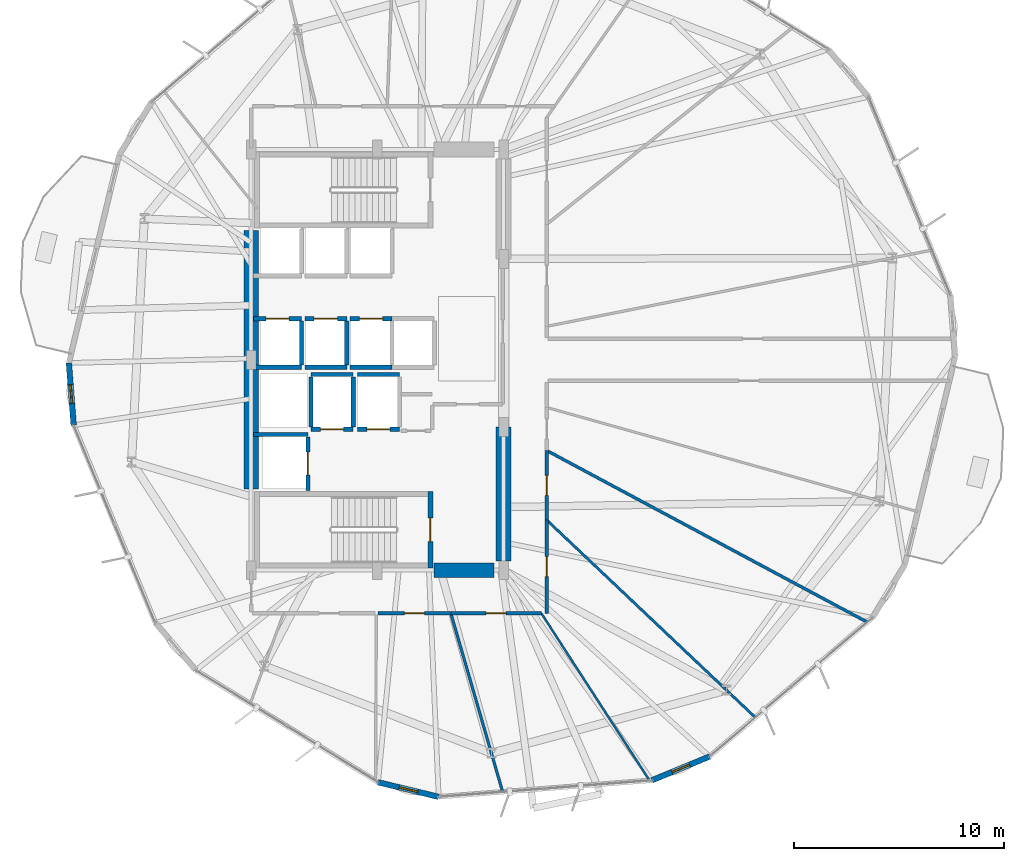
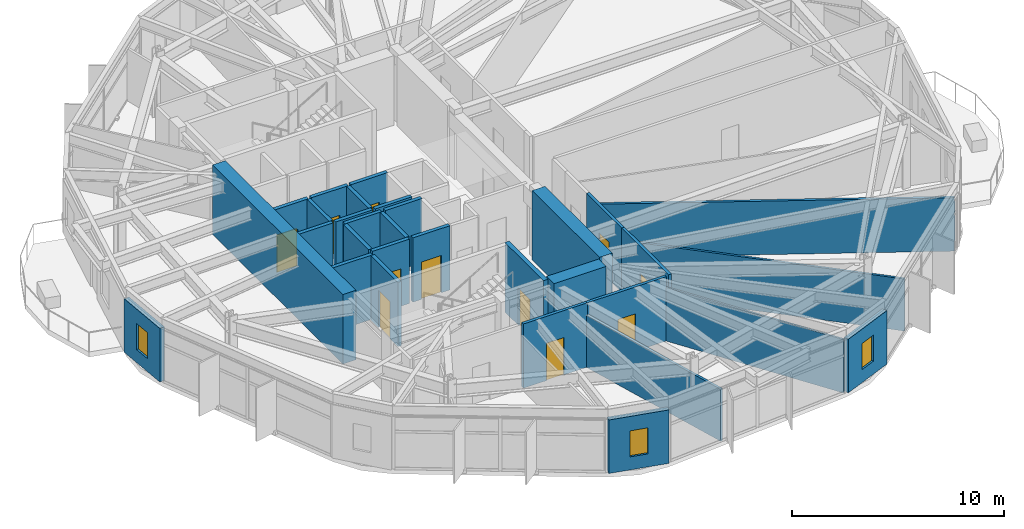
# One storey, part 16 of 22: 31 walls, 11 doors, 3 windows, 14 openings.
"""IFC4 building model written with IfcOpenShell, lengths in metres."""

from ifc_helpers import new_model, si_unit, direction, frame, frame_2d, origin, place, context, subcontext, project, spatial, rectangle, extrude, material, layer, layer_set, type_object, element, fill, save


model = new_model("IFC4")

# Units and contexts
model_context = context("Model", 3, precision=1e-05, world=origin(), true_north=direction((0.0, 1.0)))
body_context = subcontext(model_context, "Body", "Model", "MODEL_VIEW")
ifc_project = project(units=[si_unit("LENGTHUNIT", "METRE"), si_unit("AREAUNIT", "SQUARE_METRE"), si_unit("VOLUMEUNIT", "CUBIC_METRE"), si_unit("PLANEANGLEUNIT", "RADIAN"), si_unit("MASSUNIT", "GRAM", prefix="KILO")], contexts=[model_context])

# Site, building, storey
site_placement = place(None, origin())
site = spatial("IfcSite", under=ifc_project, at=site_placement, CompositionType="ELEMENT")
building_placement = place(site_placement, origin())
building = spatial("IfcBuilding", under=site, at=building_placement, Name="Soratama Intermodal Tower", CompositionType="ELEMENT")
storey_placement = place(building_placement, frame((0.0, 0.0, 50.60009765625)))
storey = spatial("IfcBuildingStorey", under=building, at=storey_placement, Name="L11", CompositionType="ELEMENT", Elevation=50.60009765625)

# Wall, opening, window
ifc_material_1 = material(Name="Concrete f'c 42 MPa", Category="concrete")
ifc_layer_1 = layer(ifc_material_1, 0.27001953125)
ifc_layer_set_1 = layer_set([ifc_layer_1], Name="Concrete f'c 42 MPa")
wall_type_1 = type_object("IfcWallType", Name="EW-CRN-270", PredefinedType="SOLIDWALL", material=ifc_layer_set_1)
wall_1_placement = place(storey_placement, frame((23.935546875, 24.85205078125, 0.0), z_axis=(0.0, 0.0, 1.0), x_axis=(0.077363609715, -0.997002944776, 0.0)))
wall_1 = element("IfcWall", 1, at=wall_1_placement, inside=storey, type_object=wall_type_1, Name="L11 Corner Closure Wall 05", PredefinedType="SOLIDWALL", context=body_context, shape_type="SweptSolid", body=[
    extrude(rectangle(XDim=2.96630859375, YDim=0.27001953125, at=frame_2d((1.483154296875, 0.0))), origin(), (0.0, 0.0, 1.0), 3.078857421875),
])
opening_1_placement = place(wall_1_placement, frame((1.033203125, 0.0, 0.75)))
opening_1 = element("IfcOpeningElement", 2, at=opening_1_placement, cuts=wall_1, Name="Opening WN-6", PredefinedType="OPENING", context=body_context, shape_type="SweptSolid", body=[
    extrude(rectangle(XDim=0.89990234375, YDim=1.5, at=frame_2d((0.449951171875, 0.75))), frame((0.0, 0.14501953125, 0.0), z_axis=(0.0, -1.0, 0.0), x_axis=(1.0, 0.0, 0.0)), (0.0, 0.0, 1.0), 0.2900390625),
])
ifc_material_2 = material(Name="Double-glazed aluminium window", Category="aluminium")
window_type = type_object("IfcWindowType", Name="WN-FAC-900", PartitioningType="SINGLE_PANEL", PredefinedType="WINDOW", material=ifc_material_2)
window_1_placement = place(opening_1_placement, origin())
window_1 = element("IfcWindow", 3, at=window_1_placement, inside=storey, type_object=window_type, Name="L11 Corner Window 05", OverallHeight=1.5, OverallWidth=0.89990234375, PartitioningType="SINGLE_PANEL", PredefinedType="WINDOW", context=body_context, shape_type="SweptSolid", body=[
    extrude(rectangle(XDim=0.89990234375, YDim=1.5, at=frame_2d((0.449951171875, 0.75))), frame((0.0, 0.030029296875, 0.0), z_axis=(0.0, -1.0, 0.0), x_axis=(1.0, 0.0, 0.0)), (0.0, 0.0, 1.0), 0.06005859375),
])
fill(opening_1, window_1)

wall_2_placement = place(storey_placement, frame((38.63134765625, 4.9208984375, 0.0), z_axis=(0.0, 0.0, 1.0), x_axis=(0.972104212083, -0.234549356962, 0.0)))
wall_2 = element("IfcWall", 4, at=wall_2_placement, inside=storey, type_object=wall_type_1, Name="L11 Corner Closure Wall 07", PredefinedType="SOLIDWALL", context=body_context, shape_type="SweptSolid", body=[
    extrude(rectangle(XDim=2.966552734375, YDim=0.27001953125, at=frame_2d((1.4833984375, 0.0))), origin(), (0.0, 0.0, 1.0), 3.078857421875),
])
opening_2_placement = place(wall_2_placement, frame((1.033203125, 0.0, 0.75)))
opening_2 = element("IfcOpeningElement", 5, at=opening_2_placement, cuts=wall_2, Name="Opening WN-6", PredefinedType="OPENING", context=body_context, shape_type="SweptSolid", body=[
    extrude(rectangle(XDim=0.89990234375, YDim=1.5, at=frame_2d((0.449951171875, 0.75))), frame((0.0, 0.14501953125, 0.0), z_axis=(0.0, -1.0, 0.0), x_axis=(1.0, 0.0, 0.0)), (0.0, 0.0, 1.0), 0.2900390625),
])
window_2_placement = place(opening_2_placement, origin())
window_2 = element("IfcWindow", 6, at=window_2_placement, inside=storey, type_object=window_type, Name="L11 Corner Window 07", OverallHeight=1.5, OverallWidth=0.89990234375, PartitioningType="SINGLE_PANEL", PredefinedType="WINDOW", context=body_context, shape_type="SweptSolid", body=[
    extrude(rectangle(XDim=0.89990234375, YDim=1.5, at=frame_2d((0.449951171875, 0.75))), frame((0.0, 0.030029296875, 0.0), z_axis=(0.0, -1.0, 0.0), x_axis=(1.0, 0.0, 0.0)), (0.0, 0.0, 1.0), 0.06005859375),
])
fill(opening_2, window_2)

wall_3_placement = place(storey_placement, frame((51.64990234375, 5.01220703125, 0.0), z_axis=(0.0, 0.0, 1.0), x_axis=(0.924287306496, 0.381697491544, 0.0)))
wall_3 = element("IfcWall", 7, at=wall_3_placement, inside=storey, type_object=wall_type_1, Name="L11 Corner Closure Wall 08", PredefinedType="SOLIDWALL", context=body_context, shape_type="SweptSolid", body=[
    extrude(rectangle(XDim=2.966552734375, YDim=0.27001953125, at=frame_2d((1.4833984375, 0.0))), origin(), (0.0, 0.0, 1.0), 3.078857421875),
])
opening_3_placement = place(wall_3_placement, frame((1.033203125, 0.0, 0.75)))
opening_3 = element("IfcOpeningElement", 8, at=opening_3_placement, cuts=wall_3, Name="Opening WN-6", PredefinedType="OPENING", context=body_context, shape_type="SweptSolid", body=[
    extrude(rectangle(XDim=0.89990234375, YDim=1.5, at=frame_2d((0.449951171875, 0.75))), frame((0.0, 0.14501953125, 0.0), z_axis=(0.0, -1.0, 0.0), x_axis=(1.0, 0.0, 0.0)), (0.0, 0.0, 1.0), 0.2900390625),
])
window_3_placement = place(opening_3_placement, origin())
window_3 = element("IfcWindow", 9, at=window_3_placement, inside=storey, type_object=window_type, Name="L11 Corner Window 08", OverallHeight=1.5, OverallWidth=0.89990234375, PartitioningType="SINGLE_PANEL", PredefinedType="WINDOW", context=body_context, shape_type="SweptSolid", body=[
    extrude(rectangle(XDim=0.89990234375, YDim=1.5, at=frame_2d((0.449951171875, 0.75))), frame((0.0, 0.030029296875, 0.0), z_axis=(0.0, -1.0, 0.0), x_axis=(1.0, 0.0, 0.0)), (0.0, 0.0, 1.0), 0.06005859375),
])
fill(opening_3, window_3)

# Wall, opening, door
ifc_material_3 = material(Name="Fire-rated gypsum stud partition", Category="concrete")
ifc_layer_2 = layer(ifc_material_3, 0.159912109375)
ifc_layer_set_2 = layer_set([ifc_layer_2], Name="Fire-rated gypsum stud partition")
wall_type_2 = type_object("IfcWallType", Name="IW-PART-R160", PredefinedType="PARTITIONING", material=ifc_layer_set_2)
wall_4_placement = place(storey_placement, frame((46.64990234375, 17.385009765625, 0.0), z_axis=(0.0, 0.0, 1.0), x_axis=(0.0, -1.0, 0.0)))
wall_4 = element("IfcWall", 10, at=wall_4_placement, inside=storey, type_object=wall_type_2, Name="L11 Partition W-L11-TP020", PredefinedType="PARTITIONING", context=body_context, shape_type="SweptSolid", body=[
    extrude(rectangle(XDim=4.43505859375, YDim=0.159912109375, at=frame_2d((2.217529296875, 0.0))), origin(), (0.0, 0.0, 1.0), 3.699951171875),
])
opening_4_placement = place(wall_4_placement, frame((1.742919921875, 0.0, 0.0)))
opening_4 = element("IfcOpeningElement", 11, at=opening_4_placement, cuts=wall_4, Name="Opening ID-3", PredefinedType="OPENING", context=body_context, shape_type="SweptSolid", body=[
    extrude(rectangle(XDim=0.949951171875, YDim=2.14990234375, at=frame_2d((0.47509765625, 1.074951171875))), frame((0.0, 0.08984375, 0.0), z_axis=(0.0, -1.0, 0.0), x_axis=(1.0, 0.0, 0.0)), (0.0, 0.0, 1.0), 0.179931640625),
])
ifc_material_4 = material(Name="Solid hardwood acoustic door", Category="wood")
door_type_1 = type_object("IfcDoorType", Name="DR-ROOM-950", OperationType="NOTDEFINED", PredefinedType="DOOR", material=ifc_material_4)
door_1_placement = place(opening_4_placement, origin())
door_1 = element("IfcDoor", 12, at=door_1_placement, inside=storey, type_object=door_type_1, Name="L11 Door D-L11-TP006", OperationType="SINGLE_SWING_LEFT", OverallHeight=2.14990234375, OverallWidth=0.949951171875, PredefinedType="DOOR", context=body_context, shape_type="SweptSolid", body=[
    extrude(rectangle(XDim=0.949951171875, YDim=2.14990234375, at=frame_2d((0.47509765625, 1.074951171875))), frame((0.0, 0.02490234375, 0.0), z_axis=(0.0, -1.0, 0.0), x_axis=(1.0, 0.0, 0.0)), (0.0, 0.0, 1.0), 0.050048828125),
])
fill(opening_4, door_1)

wall_5_placement = place(storey_placement, frame((46.39501953125, 12.949951171875, 0.0), z_axis=(0.0, 0.0, 1.0), x_axis=(-1.0, 0.0, 0.0)))
wall_5 = element("IfcWall", 13, at=wall_5_placement, inside=storey, type_object=wall_type_2, Name="L11 Partition W-L11-TP022", PredefinedType="PARTITIONING", context=body_context, shape_type="SweptSolid", body=[
    extrude(rectangle(XDim=4.301025390625, YDim=0.159912109375, at=frame_2d((2.150390625, 0.0))), origin(), (0.0, 0.0, 1.0), 3.699951171875),
])
opening_5_placement = place(wall_5_placement, frame((1.676025390625, 0.0, 0.0)))
opening_5 = element("IfcOpeningElement", 14, at=opening_5_placement, cuts=wall_5, Name="Opening ID-3", PredefinedType="OPENING", context=body_context, shape_type="SweptSolid", body=[
    extrude(rectangle(XDim=0.949951171875, YDim=2.14990234375, at=frame_2d((0.47509765625, 1.074951171875))), frame((0.0, 0.08984375, 0.0), z_axis=(0.0, -1.0, 0.0), x_axis=(1.0, 0.0, 0.0)), (0.0, 0.0, 1.0), 0.179931640625),
])
door_2_placement = place(opening_5_placement, origin())
door_2 = element("IfcDoor", 15, at=door_2_placement, inside=storey, type_object=door_type_1, Name="L11 Door D-L11-TP008", OperationType="SINGLE_SWING_LEFT", OverallHeight=2.14990234375, OverallWidth=0.949951171875, PredefinedType="DOOR", context=body_context, shape_type="SweptSolid", body=[
    extrude(rectangle(XDim=0.949951171875, YDim=2.14990234375, at=frame_2d((0.47509765625, 1.074951171875))), frame((0.0, 0.02490234375, 0.0), z_axis=(0.0, -1.0, 0.0), x_axis=(1.0, 0.0, 0.0)), (0.0, 0.0, 1.0), 0.050048828125),
])
fill(opening_5, door_2)

wall_6_placement = place(storey_placement, frame((42.093994140625, 12.949951171875, 0.0), z_axis=(0.0, 0.0, 1.0), x_axis=(-1.0, 0.0, 0.0)))
wall_6 = element("IfcWall", 16, at=wall_6_placement, inside=storey, type_object=wall_type_2, Name="L11 Partition W-L11-TP025", PredefinedType="PARTITIONING", context=body_context, shape_type="SweptSolid", body=[
    extrude(rectangle(XDim=3.47509765625, YDim=0.159912109375, at=frame_2d((1.737548828125, 0.0))), origin(), (0.0, 0.0, 1.0), 3.699951171875),
])
opening_6_placement = place(wall_6_placement, frame((1.262939453125, 0.0, 0.0)))
opening_6 = element("IfcOpeningElement", 17, at=opening_6_placement, cuts=wall_6, Name="Opening ID-3", PredefinedType="OPENING", context=body_context, shape_type="SweptSolid", body=[
    extrude(rectangle(XDim=0.949951171875, YDim=2.14990234375, at=frame_2d((0.47509765625, 1.074951171875))), frame((0.0, 0.08984375, 0.0), z_axis=(0.0, -1.0, 0.0), x_axis=(1.0, 0.0, 0.0)), (0.0, 0.0, 1.0), 0.179931640625),
])
door_3_placement = place(opening_6_placement, origin())
door_3 = element("IfcDoor", 18, at=door_3_placement, inside=storey, type_object=door_type_1, Name="L11 Door D-L11-TP011", OperationType="SINGLE_SWING_RIGHT", OverallHeight=2.14990234375, OverallWidth=0.949951171875, PredefinedType="DOOR", context=body_context, shape_type="SweptSolid", body=[
    extrude(rectangle(XDim=0.949951171875, YDim=2.14990234375, at=frame_2d((0.47509765625, 1.074951171875))), frame((0.0, 0.02490234375, 0.0), z_axis=(0.0, -1.0, 0.0), x_axis=(1.0, 0.0, 0.0)), (0.0, 0.0, 1.0), 0.050048828125),
])
fill(opening_6, door_3)

wall_7_placement = place(storey_placement, frame((46.64990234375, 20.68896484375, 0.0), z_axis=(0.0, 0.0, 1.0), x_axis=(0.0, -1.0, 0.0)))
wall_7 = element("IfcWall", 19, at=wall_7_placement, inside=storey, type_object=wall_type_2, Name="L11 Partition W-L11-TP028", PredefinedType="PARTITIONING", context=body_context, shape_type="SweptSolid", body=[
    extrude(rectangle(XDim=3.303955078125, YDim=0.159912109375, at=frame_2d((1.65185546875, 0.0))), origin(), (0.0, 0.0, 1.0), 3.699951171875),
])
opening_7_placement = place(wall_7_placement, frame((1.177001953125, 0.0, 0.0)))
opening_7 = element("IfcOpeningElement", 20, at=opening_7_placement, cuts=wall_7, Name="Opening ID-3", PredefinedType="OPENING", context=body_context, shape_type="SweptSolid", body=[
    extrude(rectangle(XDim=0.949951171875, YDim=2.14990234375, at=frame_2d((0.47509765625, 1.074951171875))), frame((0.0, 0.08984375, 0.0), z_axis=(0.0, -1.0, 0.0), x_axis=(1.0, 0.0, 0.0)), (0.0, 0.0, 1.0), 0.179931640625),
])
door_4_placement = place(opening_7_placement, origin())
door_4 = element("IfcDoor", 21, at=door_4_placement, inside=storey, type_object=door_type_1, Name="L11 Door D-L11-TP014", OperationType="SINGLE_SWING_LEFT", OverallHeight=2.14990234375, OverallWidth=0.949951171875, PredefinedType="DOOR", context=body_context, shape_type="SweptSolid", body=[
    extrude(rectangle(XDim=0.949951171875, YDim=2.14990234375, at=frame_2d((0.47509765625, 1.074951171875))), frame((0.0, 0.02490234375, 0.0), z_axis=(0.0, -1.0, 0.0), x_axis=(1.0, 0.0, 0.0)), (0.0, 0.0, 1.0), 0.050048828125),
])
fill(opening_7, door_4)

# Walls
ifc_material_5 = material(Name="Fire-rated gypsum stud partition", Category="concrete")
ifc_layer_3 = layer(ifc_material_5, 0.10009765625)
ifc_layer_set_3 = layer_set([ifc_layer_3], Name="Fire-rated gypsum stud partition")
wall_type_3 = type_object("IfcWallType", Name="IW-PART-S100", PredefinedType="PARTITIONING", material=ifc_layer_set_3)
wall_8_placement = place(storey_placement, frame((46.39501953125, 12.949951171875, 0.0), z_axis=(0.0, 0.0, 1.0), x_axis=(0.54324379199, -0.839575001095, 0.0)))
element("IfcWall", 22, at=wall_8_placement, inside=storey, type_object=wall_type_3, Name="L11 Partition W-L11-TP009", PredefinedType="PARTITIONING", context=body_context, shape_type="SweptSolid", body=[
    extrude(rectangle(XDim=9.465576171875, YDim=0.10009765625, at=frame_2d((4.73291015625, 0.0))), origin(), (0.0, 0.0, 1.0), 3.077880859375),
])
ifc_material_6 = material(Name="Fire-rated gypsum stud partition", Category="concrete")
ifc_layer_4 = layer(ifc_material_6, 0.1201171875)
ifc_layer_set_4 = layer_set([ifc_layer_4], Name="Fire-rated gypsum stud partition")
wall_type_4 = type_object("IfcWallType", Name="IW-PART-S120", PredefinedType="PARTITIONING", material=ifc_layer_set_4)
wall_9_placement = place(storey_placement, frame((46.64990234375, 17.385009765625, 0.0), z_axis=(0.0, 0.0, 1.0), x_axis=(0.726395560774, -0.68727686509, 0.0)))
element("IfcWall", 23, at=wall_9_placement, inside=storey, type_object=wall_type_4, Name="L11 Partition W-L11-TP007", PredefinedType="PARTITIONING", context=body_context, shape_type="SweptSolid", body=[
    extrude(rectangle(XDim=13.6552734375, YDim=0.1201171875, at=frame_2d((6.82763671875, 0.0))), origin(), (0.0, 0.0, 1.0), 2.994873046875),
])
ifc_material_7 = material(Name="Fire-rated gypsum stud partition", Category="concrete")
ifc_layer_5 = layer(ifc_material_7, 0.1298828125)
ifc_layer_set_5 = layer_set([ifc_layer_5], Name="Fire-rated gypsum stud partition")
wall_type_5 = type_object("IfcWallType", Name="IW-PART-S130", PredefinedType="PARTITIONING", material=ifc_layer_set_5)
wall_10_placement = place(storey_placement, frame((42.093994140625, 12.949951171875, 0.0), z_axis=(0.0, 0.0, 1.0), x_axis=(0.2785348965, -0.960426109303, 0.0)))
element("IfcWall", 24, at=wall_10_placement, inside=storey, type_object=wall_type_5, Name="L11 Partition W-L11-TP011", PredefinedType="PARTITIONING", context=body_context, shape_type="SweptSolid", body=[
    extrude(rectangle(XDim=8.8388671875, YDim=0.1298828125, at=frame_2d((4.41943359375, 0.0))), origin(), (0.0, 0.0, 1.0), 2.994873046875),
])
ifc_material_8 = material(Name="Fire-rated gypsum stud partition", Category="concrete")
ifc_layer_6 = layer(ifc_material_8, 0.139892578125)
ifc_layer_set_6 = layer_set([ifc_layer_6], Name="Fire-rated gypsum stud partition")
wall_type_6 = type_object("IfcWallType", Name="IW-PART-S140", PredefinedType="PARTITIONING", material=ifc_layer_set_6)
wall_11_placement = place(storey_placement, frame((46.64990234375, 20.68896484375, 0.0), z_axis=(0.0, 0.0, 1.0), x_axis=(0.881605315222, -0.471987360182, 0.0)))
element("IfcWall", 25, at=wall_11_placement, inside=storey, type_object=wall_type_6, Name="L11 Partition W-L11-TP005", PredefinedType="PARTITIONING", context=body_context, shape_type="SweptSolid", body=[
    extrude(rectangle(XDim=17.2822265625, YDim=0.139892578125, at=frame_2d((8.64111328125, 0.0))), origin(), (0.0, 0.0, 1.0), 3.077880859375),
])

# Wall, opening, door
ifc_material_9 = material(Name="Concrete f'c 42 MPa", Category="concrete")
ifc_layer_7 = layer(ifc_material_9, 0.199951171875)
ifc_layer_set_7 = layer_set([ifc_layer_7], Name="Concrete f'c 42 MPa")
wall_type_7 = type_object("IfcWallType", Name="IW-SHAFT-200", PredefinedType="SOLIDWALL", material=ifc_layer_set_7)
wall_12_placement = place(storey_placement, frame((35.449951171875, 21.699951171875, 0.0), z_axis=(0.0, 0.0, 1.0), x_axis=(1.0, 0.0, 0.0)))
wall_12 = element("IfcWall", 26, at=wall_12_placement, inside=storey, type_object=wall_type_7, Name="L11 FFL-1 Hoistway Wall S", PredefinedType="SOLIDWALL", context=body_context, shape_type="SweptSolid", body=[
    extrude(rectangle(XDim=2.0, YDim=0.199951171875, at=frame_2d((1.0, 0.0))), origin(), (0.0, 0.0, 1.0), 3.699951171875),
])
opening_8_placement = place(wall_12_placement, frame((0.449951171875, 0.0, 0.0)))
opening_8 = element("IfcOpeningElement", 27, at=opening_8_placement, cuts=wall_12, Name="Opening LD-1", PredefinedType="OPENING", context=body_context, shape_type="SweptSolid", body=[
    extrude(rectangle(XDim=1.10009765625, YDim=2.14990234375, at=frame_2d((0.550048828125, 1.074951171875))), frame((0.0, 0.10986328125, 0.0), z_axis=(0.0, -1.0, 0.0), x_axis=(1.0, 0.0, 0.0)), (0.0, 0.0, 1.0), 0.219970703125),
])
ifc_material_10 = material(Name="Steel fire door", Category="steel")
door_type_2 = type_object("IfcDoorType", Name="DR-LIFT-SLIDE", OperationType="NOTDEFINED", PredefinedType="DOOR", material=ifc_material_10)
door_5_placement = place(opening_8_placement, origin())
door_5 = element("IfcDoor", 28, at=door_5_placement, inside=storey, type_object=door_type_2, Name="L11 FFL-1 Sliding Landing Door", OperationType="SLIDING_TO_LEFT", OverallHeight=2.14990234375, OverallWidth=1.10009765625, PredefinedType="DOOR", context=body_context, shape_type="SweptSolid", body=[
    extrude(rectangle(XDim=1.10009765625, YDim=2.14990234375, at=frame_2d((0.550048828125, 1.074951171875))), frame((0.0, 0.02490234375, 0.0), z_axis=(0.0, -1.0, 0.0), x_axis=(1.0, 0.0, 0.0)), (0.0, 0.0, 1.0), 0.050048828125),
])
fill(opening_8, door_5)

# Walls
wall_13_placement = place(storey_placement, frame((35.449951171875, 24.300048828125, 0.0), z_axis=(0.0, 0.0, 1.0), x_axis=(1.0, 0.0, 0.0)))
element("IfcWall", 29, at=wall_13_placement, inside=storey, type_object=wall_type_7, Name="L11 FFL-1 Hoistway Wall N", PredefinedType="SOLIDWALL", context=body_context, shape_type="SweptSolid", body=[
    extrude(rectangle(XDim=2.0, YDim=0.199951171875, at=frame_2d((1.0, 0.0))), origin(), (0.0, 0.0, 1.0), 3.699951171875),
])
for number, where, z_axis, x_axis, name in (
    (30, (35.449951171875, 21.81005859375, 0.0), (0.0, 0.0, 1.0), (0.0, 1.0, 0.0), "L11 FFL-1 Hoistway Wall W"),
    (31, (37.449951171875, 21.81005859375, 0.0), (0.0, 0.0, 1.0), (0.0, 1.0, 0.0), "L11 FFL-1 Hoistway Wall E"),
):
    element("IfcWall", number, at=place(storey_placement, frame(where, z_axis=z_axis, x_axis=x_axis)), inside=storey, type_object=wall_type_7, Name=name, PredefinedType="SOLIDWALL", context=body_context, shape_type="SweptSolid", body=[
        extrude(rectangle(XDim=2.3798828125, YDim=0.199951171875, at=frame_2d((1.18994140625, 0.0))), origin(), (0.0, 0.0, 1.0), 3.699951171875),
    ])

# Wall, opening, door
wall_14_placement = place(storey_placement, frame((37.64990234375, 21.699951171875, 0.0), z_axis=(0.0, 0.0, 1.0), x_axis=(1.0, 0.0, 0.0)))
wall_14 = element("IfcWall", 32, at=wall_14_placement, inside=storey, type_object=wall_type_7, Name="L11 FFL-2 Hoistway Wall S", PredefinedType="SOLIDWALL", context=body_context, shape_type="SweptSolid", body=[
    extrude(rectangle(XDim=2.0, YDim=0.199951171875, at=frame_2d((1.0, 0.0))), origin(), (0.0, 0.0, 1.0), 3.699951171875),
])
opening_9_placement = place(wall_14_placement, frame((0.449951171875, 0.0, 0.0)))
opening_9 = element("IfcOpeningElement", 33, at=opening_9_placement, cuts=wall_14, Name="Opening LD-1", PredefinedType="OPENING", context=body_context, shape_type="SweptSolid", body=[
    extrude(rectangle(XDim=1.10009765625, YDim=2.14990234375, at=frame_2d((0.550048828125, 1.074951171875))), frame((0.0, 0.10986328125, 0.0), z_axis=(0.0, -1.0, 0.0), x_axis=(1.0, 0.0, 0.0)), (0.0, 0.0, 1.0), 0.219970703125),
])
door_6_placement = place(opening_9_placement, origin())
door_6 = element("IfcDoor", 34, at=door_6_placement, inside=storey, type_object=door_type_2, Name="L11 FFL-2 Sliding Landing Door", OperationType="SLIDING_TO_LEFT", OverallHeight=2.14990234375, OverallWidth=1.10009765625, PredefinedType="DOOR", context=body_context, shape_type="SweptSolid", body=[
    extrude(rectangle(XDim=1.10009765625, YDim=2.14990234375, at=frame_2d((0.550048828125, 1.074951171875))), frame((0.0, 0.02490234375, 0.0), z_axis=(0.0, -1.0, 0.0), x_axis=(1.0, 0.0, 0.0)), (0.0, 0.0, 1.0), 0.050048828125),
])
fill(opening_9, door_6)

# Walls
wall_15_placement = place(storey_placement, frame((37.64990234375, 24.300048828125, 0.0), z_axis=(0.0, 0.0, 1.0), x_axis=(1.0, 0.0, 0.0)))
element("IfcWall", 35, at=wall_15_placement, inside=storey, type_object=wall_type_7, Name="L11 FFL-2 Hoistway Wall N", PredefinedType="SOLIDWALL", context=body_context, shape_type="SweptSolid", body=[
    extrude(rectangle(XDim=2.0, YDim=0.199951171875, at=frame_2d((1.0, 0.0))), origin(), (0.0, 0.0, 1.0), 3.699951171875),
])
wall_16_placement = place(storey_placement, frame((32.719970703125, 21.449951171875, 0.0), z_axis=(0.0, 0.0, 1.0), x_axis=(1.0, 0.0, 0.0)))
element("IfcWall", 36, at=wall_16_placement, inside=storey, type_object=wall_type_7, Name="L11 SVL-1 Hoistway Wall N", PredefinedType="SOLIDWALL", context=body_context, shape_type="SweptSolid", body=[
    extrude(rectangle(XDim=2.580078125, YDim=0.199951171875, at=frame_2d((1.2900390625, 0.0))), origin(), (0.0, 0.0, 1.0), 3.699951171875),
])

# Wall, opening, door
wall_17_placement = place(storey_placement, frame((35.300048828125, 18.7900390625, 0.0), z_axis=(0.0, 0.0, 1.0), x_axis=(0.0, 1.0, 0.0)))
wall_17 = element("IfcWall", 37, at=wall_17_placement, inside=storey, type_object=wall_type_7, Name="L11 SVL-1 Hoistway Wall E", PredefinedType="SOLIDWALL", context=body_context, shape_type="SweptSolid", body=[
    extrude(rectangle(XDim=2.550048828125, YDim=0.199951171875, at=frame_2d((1.27490234375, 0.0))), origin(), (0.0, 0.0, 1.0), 3.699951171875),
])
opening_10_placement = place(wall_17_placement, frame((0.72509765625, 0.0, 0.0)))
opening_10 = element("IfcOpeningElement", 38, at=opening_10_placement, cuts=wall_17, Name="Opening LD-1", PredefinedType="OPENING", context=body_context, shape_type="SweptSolid", body=[
    extrude(rectangle(XDim=1.10009765625, YDim=2.14990234375, at=frame_2d((0.550048828125, 1.074951171875))), frame((0.0, 0.10986328125, 0.0), z_axis=(0.0, -1.0, 0.0), x_axis=(1.0, 0.0, 0.0)), (0.0, 0.0, 1.0), 0.219970703125),
])
door_7_placement = place(opening_10_placement, origin())
door_7 = element("IfcDoor", 39, at=door_7_placement, inside=storey, type_object=door_type_2, Name="L11 SVL-1 Sliding Landing Door", OperationType="SLIDING_TO_LEFT", OverallHeight=2.14990234375, OverallWidth=1.10009765625, PredefinedType="DOOR", context=body_context, shape_type="SweptSolid", body=[
    extrude(rectangle(XDim=1.10009765625, YDim=2.14990234375, at=frame_2d((0.550048828125, 1.074951171875))), frame((0.0, 0.02490234375, 0.0), z_axis=(0.0, -1.0, 0.0), x_axis=(1.0, 0.0, 0.0)), (0.0, 0.0, 1.0), 0.050048828125),
])
fill(opening_10, door_7)

# Wall
wall_18_placement = place(storey_placement, frame((32.719970703125, 24.64990234375, 0.0), z_axis=(0.0, 0.0, 1.0), x_axis=(1.0, 0.0, 0.0)))
element("IfcWall", 40, at=wall_18_placement, inside=storey, type_object=wall_type_7, Name="L11 PL-L1 Hoistway Wall S", PredefinedType="SOLIDWALL", context=body_context, shape_type="SweptSolid", body=[
    extrude(rectangle(XDim=2.280029296875, YDim=0.199951171875, at=frame_2d((1.14013671875, 0.0))), origin(), (0.0, 0.0, 1.0), 3.699951171875),
])

# Wall, opening, door
wall_19_placement = place(storey_placement, frame((32.719970703125, 26.949951171875, 0.0), z_axis=(0.0, 0.0, 1.0), x_axis=(1.0, 0.0, 0.0)))
wall_19 = element("IfcWall", 41, at=wall_19_placement, inside=storey, type_object=wall_type_7, Name="L11 PL-L1 Hoistway Wall N", PredefinedType="SOLIDWALL", context=body_context, shape_type="SweptSolid", body=[
    extrude(rectangle(XDim=2.280029296875, YDim=0.199951171875, at=frame_2d((1.14013671875, 0.0))), origin(), (0.0, 0.0, 1.0), 3.699951171875),
])
opening_11_placement = place(wall_19_placement, frame((0.590087890625, 0.0, 0.0)))
opening_11 = element("IfcOpeningElement", 42, at=opening_11_placement, cuts=wall_19, Name="Opening LD-1", PredefinedType="OPENING", context=body_context, shape_type="SweptSolid", body=[
    extrude(rectangle(XDim=1.10009765625, YDim=2.14990234375, at=frame_2d((0.550048828125, 1.074951171875))), frame((0.0, 0.10986328125, 0.0), z_axis=(0.0, -1.0, 0.0), x_axis=(1.0, 0.0, 0.0)), (0.0, 0.0, 1.0), 0.219970703125),
])
door_8_placement = place(opening_11_placement, origin())
door_8 = element("IfcDoor", 43, at=door_8_placement, inside=storey, type_object=door_type_2, Name="L11 PL-L1 Sliding Landing Door", OperationType="SLIDING_TO_LEFT", OverallHeight=2.14990234375, OverallWidth=1.10009765625, PredefinedType="DOOR", context=body_context, shape_type="SweptSolid", body=[
    extrude(rectangle(XDim=1.10009765625, YDim=2.14990234375, at=frame_2d((0.550048828125, 1.074951171875))), frame((0.0, 0.02490234375, 0.0), z_axis=(0.0, -1.0, 0.0), x_axis=(1.0, 0.0, 0.0)), (0.0, 0.0, 1.0), 0.050048828125),
])
fill(opening_11, door_8)

# Walls
wall_20_placement = place(storey_placement, frame((35.0, 24.760009765625, 0.0), z_axis=(0.0, 0.0, 1.0), x_axis=(0.0, 1.0, 0.0)))
element("IfcWall", 44, at=wall_20_placement, inside=storey, type_object=wall_type_7, Name="L11 PL-L1 Hoistway Wall E", PredefinedType="SOLIDWALL", context=body_context, shape_type="SweptSolid", body=[
    extrude(rectangle(XDim=2.080078125, YDim=0.199951171875, at=frame_2d((1.0400390625, 0.0))), origin(), (0.0, 0.0, 1.0), 3.699951171875),
])
wall_21_placement = place(storey_placement, frame((35.14990234375, 24.64990234375, 0.0), z_axis=(0.0, 0.0, 1.0), x_axis=(1.0, 0.0, 0.0)))
element("IfcWall", 45, at=wall_21_placement, inside=storey, type_object=wall_type_7, Name="L11 PL-L2 Hoistway Wall S", PredefinedType="SOLIDWALL", context=body_context, shape_type="SweptSolid", body=[
    extrude(rectangle(XDim=2.0, YDim=0.199951171875, at=frame_2d((1.0, 0.0))), origin(), (0.0, 0.0, 1.0), 3.699951171875),
])

# Wall, opening, door
wall_22_placement = place(storey_placement, frame((35.14990234375, 26.949951171875, 0.0), z_axis=(0.0, 0.0, 1.0), x_axis=(1.0, 0.0, 0.0)))
wall_22 = element("IfcWall", 46, at=wall_22_placement, inside=storey, type_object=wall_type_7, Name="L11 PL-L2 Hoistway Wall N", PredefinedType="SOLIDWALL", context=body_context, shape_type="SweptSolid", body=[
    extrude(rectangle(XDim=2.0, YDim=0.199951171875, at=frame_2d((1.0, 0.0))), origin(), (0.0, 0.0, 1.0), 3.699951171875),
])
opening_12_placement = place(wall_22_placement, frame((0.449951171875, 0.0, 0.0)))
opening_12 = element("IfcOpeningElement", 47, at=opening_12_placement, cuts=wall_22, Name="Opening LD-1", PredefinedType="OPENING", context=body_context, shape_type="SweptSolid", body=[
    extrude(rectangle(XDim=1.10009765625, YDim=2.14990234375, at=frame_2d((0.550048828125, 1.074951171875))), frame((0.0, 0.10986328125, 0.0), z_axis=(0.0, -1.0, 0.0), x_axis=(1.0, 0.0, 0.0)), (0.0, 0.0, 1.0), 0.219970703125),
])
door_9_placement = place(opening_12_placement, origin())
door_9 = element("IfcDoor", 48, at=door_9_placement, inside=storey, type_object=door_type_2, Name="L11 PL-L2 Sliding Landing Door", OperationType="SLIDING_TO_LEFT", OverallHeight=2.14990234375, OverallWidth=1.10009765625, PredefinedType="DOOR", context=body_context, shape_type="SweptSolid", body=[
    extrude(rectangle(XDim=1.10009765625, YDim=2.14990234375, at=frame_2d((0.550048828125, 1.074951171875))), frame((0.0, 0.02490234375, 0.0), z_axis=(0.0, -1.0, 0.0), x_axis=(1.0, 0.0, 0.0)), (0.0, 0.0, 1.0), 0.050048828125),
])
fill(opening_12, door_9)

# Walls
wall_23_placement = place(storey_placement, frame((37.14990234375, 24.760009765625, 0.0), z_axis=(0.0, 0.0, 1.0), x_axis=(0.0, 1.0, 0.0)))
element("IfcWall", 49, at=wall_23_placement, inside=storey, type_object=wall_type_7, Name="L11 PL-L2 Hoistway Wall E", PredefinedType="SOLIDWALL", context=body_context, shape_type="SweptSolid", body=[
    extrude(rectangle(XDim=2.080078125, YDim=0.199951171875, at=frame_2d((1.0400390625, 0.0))), origin(), (0.0, 0.0, 1.0), 3.699951171875),
])
wall_24_placement = place(storey_placement, frame((37.300048828125, 24.64990234375, 0.0), z_axis=(0.0, 0.0, 1.0), x_axis=(1.0, 0.0, 0.0)))
element("IfcWall", 50, at=wall_24_placement, inside=storey, type_object=wall_type_7, Name="L11 PL-L3 Hoistway Wall S", PredefinedType="SOLIDWALL", context=body_context, shape_type="SweptSolid", body=[
    extrude(rectangle(XDim=2.0, YDim=0.199951171875, at=frame_2d((1.0, 0.0))), origin(), (0.0, 0.0, 1.0), 3.699951171875),
])

# Wall, opening, door
wall_25_placement = place(storey_placement, frame((37.300048828125, 26.949951171875, 0.0), z_axis=(0.0, 0.0, 1.0), x_axis=(1.0, 0.0, 0.0)))
wall_25 = element("IfcWall", 51, at=wall_25_placement, inside=storey, type_object=wall_type_7, Name="L11 PL-L3 Hoistway Wall N", PredefinedType="SOLIDWALL", context=body_context, shape_type="SweptSolid", body=[
    extrude(rectangle(XDim=2.0, YDim=0.199951171875, at=frame_2d((1.0, 0.0))), origin(), (0.0, 0.0, 1.0), 3.699951171875),
])
opening_13_placement = place(wall_25_placement, frame((0.449951171875, 0.0, 0.0)))
opening_13 = element("IfcOpeningElement", 52, at=opening_13_placement, cuts=wall_25, Name="Opening LD-1", PredefinedType="OPENING", context=body_context, shape_type="SweptSolid", body=[
    extrude(rectangle(XDim=1.10009765625, YDim=2.14990234375, at=frame_2d((0.550048828125, 1.074951171875))), frame((0.0, 0.10986328125, 0.0), z_axis=(0.0, -1.0, 0.0), x_axis=(1.0, 0.0, 0.0)), (0.0, 0.0, 1.0), 0.219970703125),
])
door_10_placement = place(opening_13_placement, origin())
door_10 = element("IfcDoor", 53, at=door_10_placement, inside=storey, type_object=door_type_2, Name="L11 PL-L3 Sliding Landing Door", OperationType="SLIDING_TO_LEFT", OverallHeight=2.14990234375, OverallWidth=1.10009765625, PredefinedType="DOOR", context=body_context, shape_type="SweptSolid", body=[
    extrude(rectangle(XDim=1.10009765625, YDim=2.14990234375, at=frame_2d((0.550048828125, 1.074951171875))), frame((0.0, 0.02490234375, 0.0), z_axis=(0.0, -1.0, 0.0), x_axis=(1.0, 0.0, 0.0)), (0.0, 0.0, 1.0), 0.050048828125),
])
fill(opening_13, door_10)

# Walls
ifc_material_11 = material(Name="Concrete f'c 56 MPa", Category="concrete")
ifc_layer_8 = layer(ifc_material_11, 0.699951171875)
ifc_layer_set_8 = layer_set([ifc_layer_8], Name="Concrete f'c 56 MPa")
wall_type_8 = type_object("IfcWallType", Name="SW-CORE-700", PredefinedType="SHEAR", material=ifc_layer_set_8)
wall_26_placement = place(storey_placement, frame((32.60009765625, 18.85009765625, 0.0), z_axis=(0.0, 0.0, 1.0), x_axis=(0.0, 1.0, 0.0)))
element("IfcWall", 54, at=wall_26_placement, inside=storey, type_object=wall_type_8, Name="L11 Core Shear Wall CW-WMID", PredefinedType="SHEAR", context=body_context, shape_type="SweptSolid", body=[
    extrude(rectangle(XDim=12.2998046875, YDim=0.699951171875, at=frame_2d((6.14990234375, 0.0))), origin(), (0.0, 0.0, 1.0), 4.0),
])
wall_27_placement = place(storey_placement, frame((41.300048828125, 15.0, 0.0), z_axis=(0.0, 0.0, 1.0), x_axis=(1.0, 0.0, 0.0)))
element("IfcWall", 55, at=wall_27_placement, inside=storey, type_object=wall_type_8, Name="L11 Core Shear Wall CW-SE", PredefinedType="SHEAR", context=body_context, shape_type="SweptSolid", body=[
    extrude(rectangle(XDim=2.849853515625, YDim=0.699951171875, at=frame_2d((1.4248046875, 0.0))), origin(), (0.0, 0.0, 1.0), 4.0),
])
wall_28_placement = place(storey_placement, frame((44.60009765625, 15.449951171875, 0.0), z_axis=(0.0, 0.0, 1.0), x_axis=(0.0, 1.0, 0.0)))
element("IfcWall", 56, at=wall_28_placement, inside=storey, type_object=wall_type_8, Name="L11 Core Shear Wall CW-ES", PredefinedType="SHEAR", context=body_context, shape_type="SweptSolid", body=[
    extrude(rectangle(XDim=6.35009765625, YDim=0.699951171875, at=frame_2d((3.175048828125, 0.0))), origin(), (0.0, 0.0, 1.0), 4.0),
])

# Wall, opening, door
ifc_material_12 = material(Name="Concrete f'c 56 MPa", Category="concrete")
ifc_layer_9 = layer(ifc_material_12, 0.239990234375)
ifc_layer_set_9 = layer_set([ifc_layer_9], Name="Concrete f'c 56 MPa")
wall_type_9 = type_object("IfcWallType", Name="SW-STAIR-240", PredefinedType="SHEAR", material=ifc_layer_set_9)
wall_29_placement = place(storey_placement, frame((41.1201171875, 15.110107421875, 0.0), z_axis=(0.0, 0.0, 1.0), x_axis=(0.0, 1.0, 0.0)))
wall_29 = element("IfcWall", 57, at=wall_29_placement, inside=storey, type_object=wall_type_9, Name="L11 ST-1 Shaft Shear Wall E", PredefinedType="SHEAR", context=body_context, shape_type="SweptSolid", body=[
    extrude(rectangle(XDim=3.6298828125, YDim=0.239990234375, at=frame_2d((1.81494140625, 0.0))), origin(), (0.0, 0.0, 1.0), 4.0),
])
opening_14_placement = place(wall_29_placement, frame((1.2548828125, 0.0, 0.0)))
opening_14 = element("IfcOpeningElement", 58, at=opening_14_placement, cuts=wall_29, Name="Opening SD-1", PredefinedType="OPENING", context=body_context, shape_type="SweptSolid", body=[
    extrude(rectangle(XDim=1.1201171875, YDim=2.14990234375, at=frame_2d((0.56005859375, 1.074951171875))), frame((0.0, 0.1298828125, 0.0), z_axis=(0.0, -1.0, 0.0), x_axis=(1.0, 0.0, 0.0)), (0.0, 0.0, 1.0), 0.260009765625),
])
ifc_material_13 = material(Name="Steel fire door", Category="steel")
door_type_3 = type_object("IfcDoorType", Name="DR-STAIR-FD90", OperationType="NOTDEFINED", PredefinedType="DOOR", material=ifc_material_13)
door_11_placement = place(opening_14_placement, origin())
door_11 = element("IfcDoor", 59, at=door_11_placement, inside=storey, type_object=door_type_3, Name="L11 ST-1 Exit Stair Door", OperationType="SINGLE_SWING_LEFT", OverallHeight=2.14990234375, OverallWidth=1.1201171875, PredefinedType="DOOR", context=body_context, shape_type="SweptSolid", body=[
    extrude(rectangle(XDim=1.1201171875, YDim=2.14990234375, at=frame_2d((0.56005859375, 1.074951171875))), frame((0.0, 0.02490234375, 0.0), z_axis=(0.0, -1.0, 0.0), x_axis=(1.0, 0.0, 0.0)), (0.0, 0.0, 1.0), 0.050048828125),
])
fill(opening_14, door_11)

save(model, "model.ifc")
